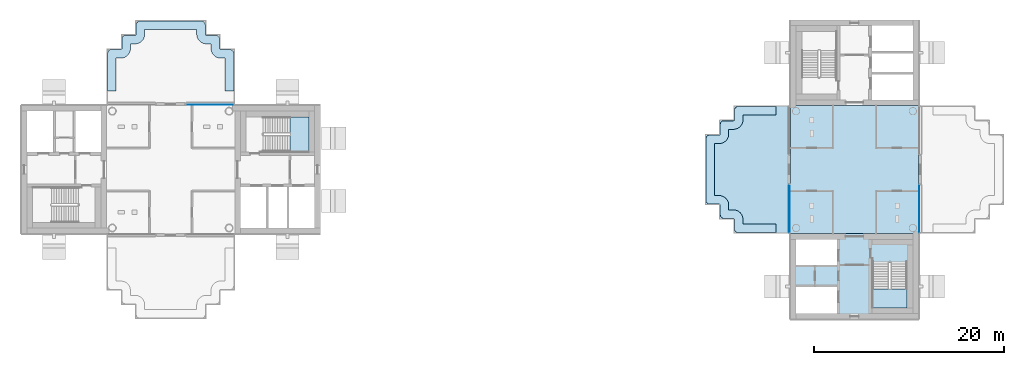
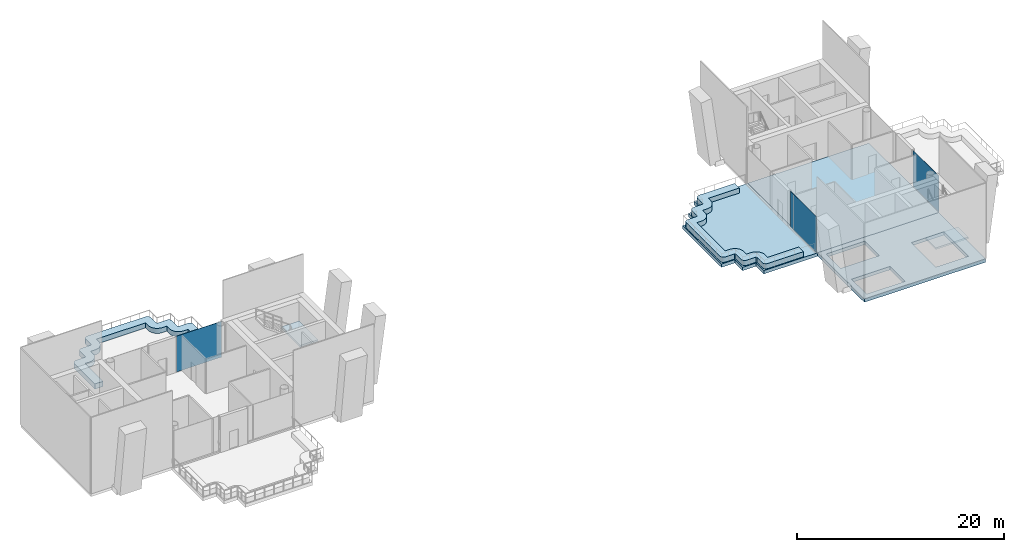
# One storey, part 5 of 17: 7 slabs, 3 plates, 5 elements without a shape of their own.
"""IFC4 building model written with IfcOpenShell, lengths in metres."""

from ifc_helpers import new_model, si_unit, direction, frame, origin, origin_2d, place, context, subcontext, project, spatial, polyline, rectangle, outline, extrude, material, layer, layer_set, type_object, element, aggregate, save


model = new_model("IFC4")

# Units and contexts
model_context = context("Model", 3, precision=1e-05, world=origin(), true_north=direction((0.0, 1.0)))
body_context = subcontext(model_context, "Body", "Model", "MODEL_VIEW")
ifc_project = project(units=[si_unit("LENGTHUNIT", "METRE"), si_unit("AREAUNIT", "SQUARE_METRE"), si_unit("VOLUMEUNIT", "CUBIC_METRE"), si_unit("PLANEANGLEUNIT", "RADIAN"), si_unit("MASSUNIT", "GRAM", prefix="KILO")], contexts=[model_context])

# Site, building, storey
site_placement = place(None, origin())
site = spatial("IfcSite", under=ifc_project, at=site_placement, CompositionType="ELEMENT")
building_placement = place(site_placement, origin())
building = spatial("IfcBuilding", under=site, at=building_placement, Name="Ipe Terrace Towers", CompositionType="ELEMENT")
storey_placement = place(building_placement, frame((0.0, 0.0, 246.89990234375)))
storey = spatial("IfcBuildingStorey", under=building, at=storey_placement, Name="L68", CompositionType="ELEMENT", Elevation=246.89990234375)

# Slab
ifc_material_1 = material(Name="Concrete C30/37", Category="concrete")
ifc_layer_1 = layer(ifc_material_1, 0.39990234375)
ifc_layer_set_1 = layer_set([ifc_layer_1], Name="CORE FLOOR SLAB 400 C30-37")
slab_type_1 = type_object("IfcSlabType", Name="CORE FLOOR SLAB 400 C30-37", PredefinedType="FLOOR", material=ifc_layer_set_1)
slab_1_placement = place(storey_placement, frame((0.0, 0.0, -0.39990234375)))
element("IfcSlab", 1, at=slab_1_placement, inside=storey, type_object=slab_type_1, Name="Core floor T2-C2", PredefinedType="FLOOR", context=body_context, shape_type="SweptSolid", body=[
    extrude(outline(polyline([(29.25, -15.75), (29.25, -6.75), (42.75, -6.75), (42.75, -15.75), (29.25, -15.75)]), holes=[polyline([(29.85009765625, -12.25), (29.85009765625, -15.14990234375), (34.14990234375, -15.14990234375), (34.14990234375, -12.25), (29.85009765625, -12.25)]), polyline([(41.550048828125, -9.800048828125), (37.89990234375, -9.800048828125), (37.89990234375, -14.550048828125), (41.550048828125, -14.550048828125), (41.550048828125, -9.800048828125)]), polyline([(34.14990234375, -7.35009765625), (29.85009765625, -7.35009765625), (29.85009765625, -10.14990234375), (34.14990234375, -10.14990234375), (34.14990234375, -7.35009765625)])]), origin(), (0.0, 0.0, 1.0), 0.39990234375),
])

# Stair, slab
ifc_material_2 = material(Name="Concrete C30/37", Category="concrete")
stair_type = type_object("IfcStairType", Name="Protected exit stair", PredefinedType="HALF_TURN_STAIR", material=ifc_material_2)
stair_1_placement = place(storey_placement, origin())
stair_1 = element("IfcStair", 2, at=stair_1_placement, inside=storey, type_object=stair_type, Name="L68 Exit stair T1-C1", PredefinedType="HALF_TURN_STAIR")
ifc_material_3 = material(Name="Concrete C30/37", Category="concrete")
ifc_layer_2 = layer(ifc_material_3, 0.199951171875)
ifc_layer_set_2 = layer_set([ifc_layer_2], Name="Exit stair landing 200")
slab_type_2 = type_object("IfcSlabType", Name="Exit stair landing 200", PredefinedType="LANDING", material=ifc_layer_set_2)
slab_2_placement = place(storey_placement, frame((0.0, 0.0, 2.050048828125)))
slab_2 = element("IfcSlab", 3, at=slab_2_placement, type_object=slab_type_2, Name="T1-ST1 landing 1", PredefinedType="LANDING", context=body_context, shape_type="SweptSolid", body=[
    extrude(outline(polyline([(-23.43994140625, 1.89990234375), (-21.449951171875, 1.89990234375), (-21.449951171875, 5.550048828125), (-23.43994140625, 5.550048828125), (-23.43994140625, 1.89990234375)])), origin(), (0.0, 0.0, 1.0), 0.199951171875),
])
aggregate(stair_1, [slab_2])

stair_2_placement = place(storey_placement, origin())
stair_2 = element("IfcStair", 4, at=stair_2_placement, inside=storey, type_object=stair_type, Name="L68 Exit stair T2-C2", PredefinedType="HALF_TURN_STAIR")
slab_3_placement = place(storey_placement, frame((0.0, 0.0, 2.050048828125)))
slab_3 = element("IfcSlab", 5, at=slab_3_placement, type_object=slab_type_2, Name="T2-ST2 landing 1", PredefinedType="LANDING", context=body_context, shape_type="SweptSolid", body=[
    extrude(outline(polyline([(37.89990234375, -12.56005859375), (37.89990234375, -14.550048828125), (41.550048828125, -14.550048828125), (41.550048828125, -12.56005859375), (37.89990234375, -12.56005859375)])), origin(), (0.0, 0.0, 1.0), 0.199951171875),
])
aggregate(stair_2, [slab_3])

# Slabs
ifc_material_4 = material(Name="Concrete C40/50", Category="concrete")
ifc_layer_3 = layer(ifc_material_4, 0.39990234375)
ifc_layer_set_3 = layer_set([ifc_layer_3], Name="FLAT PLATE SLAB 400 C40-50")
slab_type_3 = type_object("IfcSlabType", Name="FLAT PLATE SLAB 400 C40-50", PredefinedType="FLOOR", material=ifc_layer_set_3)
slab_4_placement = place(storey_placement, frame((0.0, 0.0, -0.39990234375)))
element("IfcSlab", 6, at=slab_4_placement, inside=storey, type_object=slab_type_3, Name="Slab T2-FS-Z41", PredefinedType="FLOOR", context=body_context, shape_type="SweptSolid", body=[
    extrude(outline(polyline([(29.25, 6.75), (42.75, 6.75), (42.75, -6.75), (29.25, -6.75), (29.25, 6.75)])), origin(), (0.0, 0.0, 1.0), 0.39990234375),
])
ifc_material_5 = material(Name="Concrete C40/50", Category="concrete")
ifc_layer_4 = layer(ifc_material_5, 0.39990234375)
ifc_layer_set_4 = layer_set([ifc_layer_4], Name="TERRACE DECK SLAB 400 C40-50")
slab_type_4 = type_object("IfcSlabType", Name="TERRACE DECK SLAB 400 C40-50", PredefinedType="FLOOR", material=ifc_layer_set_4)
slab_5_placement = place(storey_placement, frame((0.0, 0.0, -0.419921875)))
element("IfcSlab", 7, at=slab_5_placement, inside=storey, type_object=slab_type_4, Name="Slab T2-TD-L68-1", PredefinedType="FLOOR", context=body_context, shape_type="SweptSolid", body=[
    extrude(outline(polyline([(20.2548828125, 3.7451171875), (21.7548828125, 3.7451171875), (21.7548828125, 5.2451171875), (23.2548828125, 5.2451171875), (23.2548828125, 6.7451171875), (29.2451171875, 6.7451171875), (29.2451171875, -6.7451171875), (23.2548828125, -6.7451171875), (23.2548828125, -5.2451171875), (21.7548828125, -5.2451171875), (21.7548828125, -3.7451171875), (20.2548828125, -3.7451171875), (20.2548828125, 3.7451171875)])), origin(), (0.0, 0.0, 1.0), 0.39990234375),
])

# Curtain wall, plate
ifc_material_6 = material(Name="Aluminium alloy 6063-T6", Category="aluminium")
ifc_layer_5 = layer(ifc_material_6, 0.320068359375)
ifc_layer_set_5 = layer_set([ifc_layer_5], Name="TERRACE FRONT CURTAIN WALL")
curtain_wall_type = type_object("IfcCurtainWallType", Name="TERRACE FRONT CURTAIN WALL", PredefinedType="NOTDEFINED", material=ifc_layer_set_5)
curtain_wall_1_placement = place(storey_placement, origin())
curtain_wall_1 = element("IfcCurtainWall", 8, at=curtain_wall_1_placement, inside=storey, type_object=curtain_wall_type, Name="T1-CW-L68-02b curtain wall", PredefinedType="NOTDEFINED")
ifc_material_7 = material(Name="Glass, clear laminated", Category="glass")
ifc_layer_6 = layer(ifc_material_7, 0.028076171875)
ifc_layer_set_6 = layer_set([ifc_layer_6], Name="TERRACE FRONT GLASS PANEL 28")
plate_type = type_object("IfcPlateType", Name="TERRACE FRONT GLASS PANEL 28", PredefinedType="CURTAIN_PANEL", material=ifc_layer_set_6)
plate_1_placement = place(storey_placement, frame((-31.87548828125, 6.830078125, -0.02001953125), z_axis=(0.0, 0.0, 1.0), x_axis=(-1.0, 0.0, 0.0)))
plate_1 = element("IfcPlate", 9, at=plate_1_placement, type_object=plate_type, Name="T1-CW-L68-02b panel 1", PredefinedType="CURTAIN_PANEL", context=body_context, shape_type="SweptSolid", body=[
    extrude(rectangle(XDim=5.029052734375, YDim=0.028076171875, at=origin_2d()), origin(), (0.0, 0.0, 1.0), 4.219970703125),
])
aggregate(curtain_wall_1, [plate_1])

curtain_wall_2_placement = place(storey_placement, origin())
curtain_wall_2 = element("IfcCurtainWall", 10, at=curtain_wall_2_placement, inside=storey, type_object=curtain_wall_type, Name="T2-CW-L68-00b curtain wall", PredefinedType="NOTDEFINED")
plate_2_placement = place(storey_placement, frame((42.830078125, -4.12451171875, -0.02001953125), z_axis=(0.0, 0.0, 1.0), x_axis=(0.0, 1.0, 0.0)))
plate_2 = element("IfcPlate", 11, at=plate_2_placement, type_object=plate_type, Name="T2-CW-L68-00b panel 1", PredefinedType="CURTAIN_PANEL", context=body_context, shape_type="SweptSolid", body=[
    extrude(rectangle(XDim=5.029052734375, YDim=0.028076171875, at=origin_2d()), origin(), (0.0, 0.0, 1.0), 4.219970703125),
])
aggregate(curtain_wall_2, [plate_2])

curtain_wall_3_placement = place(storey_placement, origin())
curtain_wall_3 = element("IfcCurtainWall", 12, at=curtain_wall_3_placement, inside=storey, type_object=curtain_wall_type, Name="T2-CW-L68-02d curtain wall", PredefinedType="NOTDEFINED")
plate_3_placement = place(storey_placement, frame((29.169921875, -4.12451171875, -0.02001953125), z_axis=(0.0, 0.0, 1.0), x_axis=(0.0, -1.0, 0.0)))
plate_3 = element("IfcPlate", 13, at=plate_3_placement, type_object=plate_type, Name="T2-CW-L68-02d panel 1", PredefinedType="CURTAIN_PANEL", context=body_context, shape_type="SweptSolid", body=[
    extrude(rectangle(XDim=5.029052734375, YDim=0.028076171875, at=origin_2d()), origin(), (0.0, 0.0, 1.0), 4.219970703125),
])
aggregate(curtain_wall_3, [plate_3])

# Slabs
ifc_material_8 = material(Name="Concrete C30/37", Category="concrete")
ifc_layer_7 = layer(ifc_material_8, 0.60009765625)
ifc_layer_set_7 = layer_set([ifc_layer_7], Name="TERRACE PLANTING BED 900 x 600")
slab_type_5 = type_object("IfcSlabType", Name="TERRACE PLANTING BED 900 x 600", PredefinedType="USERDEFINED", material=ifc_layer_set_7)
slab_6_placement = place(storey_placement, frame((0.0, 0.0, -0.02001953125)))
element("IfcSlab", 14, at=slab_6_placement, inside=storey, type_object=slab_type_5, Name="planter", ObjectType="PLANTER", PredefinedType="USERDEFINED", context=body_context, shape_type="SweptSolid", body=[
    extrude(outline(polyline([(-41.739990234375, 11.72998046875), (-41.739990234375, 11.739990234375), (-41.72998046875, 11.739990234375), (-41.2490234375, 11.739990234375), (-41.22900390625, 11.739990234375), (-41.1708984375, 11.742919921875), (-41.132080078125, 11.7470703125), (-41.072021484375, 11.756103515625), (-41.033935546875, 11.763916015625), (-40.97607421875, 11.778076171875), (-40.93798828125, 11.7900390625), (-40.882080078125, 11.81005859375), (-40.845947265625, 11.824951171875), (-40.791015625, 11.85009765625), (-40.757080078125, 11.868896484375), (-40.705078125, 11.89990234375), (-40.673095703125, 11.9208984375), (-40.625, 11.95703125), (-40.593994140625, 11.98193359375), (-40.550048828125, 12.02197265625), (-40.52197265625, 12.050048828125), (-40.48193359375, 12.093994140625), (-40.45703125, 12.125), (-40.4208984375, 12.173095703125), (-40.39990234375, 12.205078125), (-40.368896484375, 12.257080078125), (-40.35009765625, 12.291015625), (-40.324951171875, 12.345947265625), (-40.31005859375, 12.382080078125), (-40.2900390625, 12.43798828125), (-40.278076171875, 12.47607421875), (-40.263916015625, 12.533935546875), (-40.256103515625, 12.572021484375), (-40.2470703125, 12.632080078125), (-40.242919921875, 12.6708984375), (-40.239990234375, 12.72900390625), (-40.239990234375, 12.7490234375), (-40.239990234375, 13.22998046875), (-40.239990234375, 13.239990234375), (-40.22998046875, 13.239990234375), (-39.7490234375, 13.239990234375), (-39.72900390625, 13.239990234375), (-39.6708984375, 13.242919921875), (-39.632080078125, 13.2470703125), (-39.572021484375, 13.256103515625), (-39.533935546875, 13.263916015625), (-39.47607421875, 13.278076171875), (-39.43798828125, 13.2900390625), (-39.382080078125, 13.31005859375), (-39.345947265625, 13.324951171875), (-39.291015625, 13.35009765625), (-39.257080078125, 13.368896484375), (-39.205078125, 13.39990234375), (-39.173095703125, 13.4208984375), (-39.125, 13.45703125), (-39.093994140625, 13.48193359375), (-39.050048828125, 13.52197265625), (-39.02197265625, 13.550048828125), (-38.98193359375, 13.593994140625), (-38.95703125, 13.625), (-38.9208984375, 13.673095703125), (-38.89990234375, 13.705078125), (-38.868896484375, 13.757080078125), (-38.85009765625, 13.791015625), (-38.824951171875, 13.845947265625), (-38.81005859375, 13.882080078125), (-38.7900390625, 13.93798828125), (-38.778076171875, 13.97607421875), (-38.763916015625, 14.033935546875), (-38.756103515625, 14.072021484375), (-38.7470703125, 14.132080078125), (-38.742919921875, 14.1708984375), (-38.739990234375, 14.22900390625), (-38.739990234375, 14.2490234375), (-38.739990234375, 14.72998046875), (-38.739990234375, 14.739990234375), (-38.72998046875, 14.739990234375), (-33.27001953125, 14.739990234375), (-33.260009765625, 14.739990234375), (-33.260009765625, 14.72998046875), (-33.260009765625, 14.2490234375), (-33.260009765625, 14.22900390625), (-33.257080078125, 14.1708984375), (-33.2529296875, 14.132080078125), (-33.243896484375, 14.072021484375), (-33.236083984375, 14.033935546875), (-33.221923828125, 13.97607421875), (-33.2099609375, 13.93798828125), (-33.18994140625, 13.882080078125), (-33.175048828125, 13.845947265625), (-33.14990234375, 13.791015625), (-33.131103515625, 13.757080078125), (-33.10009765625, 13.705078125), (-33.0791015625, 13.673095703125), (-33.04296875, 13.625), (-33.01806640625, 13.593994140625), (-32.97802734375, 13.550048828125), (-32.949951171875, 13.52197265625), (-32.906005859375, 13.48193359375), (-32.875, 13.45703125), (-32.826904296875, 13.4208984375), (-32.794921875, 13.39990234375), (-32.742919921875, 13.368896484375), (-32.708984375, 13.35009765625), (-32.654052734375, 13.324951171875), (-32.617919921875, 13.31005859375), (-32.56201171875, 13.2900390625), (-32.52392578125, 13.278076171875), (-32.466064453125, 13.263916015625), (-32.427978515625, 13.256103515625), (-32.367919921875, 13.2470703125), (-32.3291015625, 13.242919921875), (-32.27099609375, 13.239990234375), (-32.2509765625, 13.239990234375), (-31.77001953125, 13.239990234375), (-31.760009765625, 13.239990234375), (-31.760009765625, 13.22998046875), (-31.760009765625, 12.7490234375), (-31.760009765625, 12.72900390625), (-31.757080078125, 12.6708984375), (-31.7529296875, 12.632080078125), (-31.743896484375, 12.572021484375), (-31.736083984375, 12.533935546875), (-31.721923828125, 12.47607421875), (-31.7099609375, 12.43798828125), (-31.68994140625, 12.382080078125), (-31.675048828125, 12.345947265625), (-31.64990234375, 12.291015625), (-31.631103515625, 12.257080078125), (-31.60009765625, 12.205078125), (-31.5791015625, 12.173095703125), (-31.54296875, 12.125), (-31.51806640625, 12.093994140625), (-31.47802734375, 12.050048828125), (-31.449951171875, 12.02197265625), (-31.406005859375, 11.98193359375), (-31.375, 11.95703125), (-31.326904296875, 11.9208984375), (-31.294921875, 11.89990234375), (-31.242919921875, 11.868896484375), (-31.208984375, 11.85009765625), (-31.154052734375, 11.824951171875), (-31.117919921875, 11.81005859375), (-31.06201171875, 11.7900390625), (-31.02392578125, 11.778076171875), (-30.966064453125, 11.763916015625), (-30.927978515625, 11.756103515625), (-30.867919921875, 11.7470703125), (-30.8291015625, 11.742919921875), (-30.77099609375, 11.739990234375), (-30.7509765625, 11.739990234375), (-30.27001953125, 11.739990234375), (-30.260009765625, 11.739990234375), (-30.260009765625, 11.72998046875), (-30.260009765625, 8.27001953125), (-29.360107421875, 8.27001953125), (-29.360107421875, 12.239990234375), (-29.362060546875, 12.279052734375), (-29.367919921875, 12.318115234375), (-29.376953125, 12.35595703125), (-29.389892578125, 12.39306640625), (-29.406982421875, 12.428955078125), (-29.427001953125, 12.4619140625), (-29.450927734375, 12.493896484375), (-29.47705078125, 12.52294921875), (-29.506103515625, 12.549072265625), (-29.5380859375, 12.572998046875), (-29.571044921875, 12.593017578125), (-29.60693359375, 12.610107421875), (-29.64404296875, 12.623046875), (-29.681884765625, 12.632080078125), (-29.720947265625, 12.637939453125), (-29.760009765625, 12.639892578125), (-30.73388671875, 12.639892578125), (-30.743896484375, 12.639892578125), (-30.7509765625, 12.64111328125), (-30.76611328125, 12.64208984375), (-30.777099609375, 12.64404296875), (-30.787109375, 12.64697265625), (-30.797119140625, 12.65087890625), (-30.805908203125, 12.656005859375), (-30.81494140625, 12.662109375), (-30.822998046875, 12.6689453125), (-30.8310546875, 12.677001953125), (-30.837890625, 12.68505859375), (-30.843994140625, 12.694091796875), (-30.84912109375, 12.702880859375), (-30.85302734375, 12.712890625), (-30.85595703125, 12.722900390625), (-30.85791015625, 12.73388671875), (-30.85888671875, 12.7490234375), (-30.860107421875, 12.756103515625), (-30.860107421875, 12.76611328125), (-30.860107421875, 13.739990234375), (-30.862060546875, 13.779052734375), (-30.867919921875, 13.818115234375), (-30.876953125, 13.85595703125), (-30.889892578125, 13.89306640625), (-30.906982421875, 13.928955078125), (-30.927001953125, 13.9619140625), (-30.950927734375, 13.993896484375), (-30.97705078125, 14.02294921875), (-31.006103515625, 14.049072265625), (-31.0380859375, 14.072998046875), (-31.071044921875, 14.093017578125), (-31.10693359375, 14.110107421875), (-31.14404296875, 14.123046875), (-31.181884765625, 14.132080078125), (-31.220947265625, 14.137939453125), (-31.260009765625, 14.139892578125), (-32.23388671875, 14.139892578125), (-32.243896484375, 14.139892578125), (-32.2509765625, 14.14111328125), (-32.26611328125, 14.14208984375), (-32.277099609375, 14.14404296875), (-32.287109375, 14.14697265625), (-32.297119140625, 14.15087890625), (-32.305908203125, 14.156005859375), (-32.31494140625, 14.162109375), (-32.322998046875, 14.1689453125), (-32.3310546875, 14.177001953125), (-32.337890625, 14.18505859375), (-32.343994140625, 14.194091796875), (-32.34912109375, 14.202880859375), (-32.35302734375, 14.212890625), (-32.35595703125, 14.222900390625), (-32.35791015625, 14.23388671875), (-32.35888671875, 14.2490234375), (-32.360107421875, 14.256103515625), (-32.360107421875, 14.26611328125), (-32.360107421875, 15.239990234375), (-32.362060546875, 15.279052734375), (-32.367919921875, 15.318115234375), (-32.376953125, 15.35595703125), (-32.389892578125, 15.39306640625), (-32.406982421875, 15.428955078125), (-32.427001953125, 15.4619140625), (-32.450927734375, 15.493896484375), (-32.47705078125, 15.52294921875), (-32.506103515625, 15.549072265625), (-32.5380859375, 15.572998046875), (-32.571044921875, 15.593017578125), (-32.60693359375, 15.610107421875), (-32.64404296875, 15.623046875), (-32.681884765625, 15.632080078125), (-32.720947265625, 15.637939453125), (-32.760009765625, 15.639892578125), (-39.239990234375, 15.639892578125), (-39.279052734375, 15.637939453125), (-39.318115234375, 15.632080078125), (-39.35595703125, 15.623046875), (-39.39306640625, 15.610107421875), (-39.428955078125, 15.593017578125), (-39.4619140625, 15.572998046875), (-39.493896484375, 15.549072265625), (-39.52294921875, 15.52294921875), (-39.549072265625, 15.493896484375), (-39.572998046875, 15.4619140625), (-39.593017578125, 15.428955078125), (-39.610107421875, 15.39306640625), (-39.623046875, 15.35595703125), (-39.632080078125, 15.318115234375), (-39.637939453125, 15.279052734375), (-39.639892578125, 15.239990234375), (-39.639892578125, 14.26611328125), (-39.639892578125, 14.256103515625), (-39.64111328125, 14.2490234375), (-39.64208984375, 14.23388671875), (-39.64404296875, 14.222900390625), (-39.64697265625, 14.212890625), (-39.65087890625, 14.202880859375), (-39.656005859375, 14.194091796875), (-39.662109375, 14.18505859375), (-39.6689453125, 14.177001953125), (-39.677001953125, 14.1689453125), (-39.68505859375, 14.162109375), (-39.694091796875, 14.156005859375), (-39.702880859375, 14.15087890625), (-39.712890625, 14.14697265625), (-39.722900390625, 14.14404296875), (-39.73388671875, 14.14208984375), (-39.7490234375, 14.14111328125), (-39.756103515625, 14.139892578125), (-39.76611328125, 14.139892578125), (-40.739990234375, 14.139892578125), (-40.779052734375, 14.137939453125), (-40.818115234375, 14.132080078125), (-40.85595703125, 14.123046875), (-40.89306640625, 14.110107421875), (-40.928955078125, 14.093017578125), (-40.9619140625, 14.072998046875), (-40.993896484375, 14.049072265625), (-41.02294921875, 14.02294921875), (-41.049072265625, 13.993896484375), (-41.072998046875, 13.9619140625), (-41.093017578125, 13.928955078125), (-41.110107421875, 13.89306640625), (-41.123046875, 13.85595703125), (-41.132080078125, 13.818115234375), (-41.137939453125, 13.779052734375), (-41.139892578125, 13.739990234375), (-41.139892578125, 12.76611328125), (-41.139892578125, 12.756103515625), (-41.14111328125, 12.7490234375), (-41.14208984375, 12.73388671875), (-41.14404296875, 12.722900390625), (-41.14697265625, 12.712890625), (-41.15087890625, 12.702880859375), (-41.156005859375, 12.694091796875), (-41.162109375, 12.68505859375), (-41.1689453125, 12.677001953125), (-41.177001953125, 12.6689453125), (-41.18505859375, 12.662109375), (-41.194091796875, 12.656005859375), (-41.202880859375, 12.65087890625), (-41.212890625, 12.64697265625), (-41.222900390625, 12.64404296875), (-41.23388671875, 12.64208984375), (-41.2490234375, 12.64111328125), (-41.256103515625, 12.639892578125), (-41.26611328125, 12.639892578125), (-42.239990234375, 12.639892578125), (-42.279052734375, 12.637939453125), (-42.318115234375, 12.632080078125), (-42.35595703125, 12.623046875), (-42.39306640625, 12.610107421875), (-42.428955078125, 12.593017578125), (-42.4619140625, 12.572998046875), (-42.493896484375, 12.549072265625), (-42.52294921875, 12.52294921875), (-42.549072265625, 12.493896484375), (-42.572998046875, 12.4619140625), (-42.593017578125, 12.428955078125), (-42.610107421875, 12.39306640625), (-42.623046875, 12.35595703125), (-42.632080078125, 12.318115234375), (-42.637939453125, 12.279052734375), (-42.639892578125, 12.239990234375), (-42.639892578125, 8.27001953125), (-41.739990234375, 8.27001953125), (-41.739990234375, 11.72998046875)])), origin(), (0.0, 0.0, 1.0), 0.60009765625),
])
slab_7_placement = place(storey_placement, frame((0.0, 0.0, -0.02001953125)))
element("IfcSlab", 15, at=slab_7_placement, inside=storey, type_object=slab_type_5, Name="planter", ObjectType="PLANTER", PredefinedType="USERDEFINED", context=body_context, shape_type="SweptSolid", body=[
    extrude(outline(polyline([(21.27001953125, -2.739990234375), (21.260009765625, -2.739990234375), (21.260009765625, -2.72998046875), (21.260009765625, 2.72998046875), (21.260009765625, 2.739990234375), (21.27001953125, 2.739990234375), (21.7509765625, 2.739990234375), (21.77099609375, 2.739990234375), (21.8291015625, 2.742919921875), (21.867919921875, 2.7470703125), (21.927978515625, 2.756103515625), (21.966064453125, 2.763916015625), (22.02392578125, 2.778076171875), (22.06201171875, 2.7900390625), (22.117919921875, 2.81005859375), (22.154052734375, 2.824951171875), (22.208984375, 2.85009765625), (22.242919921875, 2.868896484375), (22.294921875, 2.89990234375), (22.326904296875, 2.9208984375), (22.375, 2.95703125), (22.406005859375, 2.98193359375), (22.449951171875, 3.02197265625), (22.47802734375, 3.050048828125), (22.51806640625, 3.093994140625), (22.54296875, 3.125), (22.5791015625, 3.173095703125), (22.60009765625, 3.205078125), (22.631103515625, 3.257080078125), (22.64990234375, 3.291015625), (22.675048828125, 3.345947265625), (22.68994140625, 3.382080078125), (22.7099609375, 3.43798828125), (22.721923828125, 3.47607421875), (22.736083984375, 3.533935546875), (22.743896484375, 3.572021484375), (22.7529296875, 3.632080078125), (22.757080078125, 3.6708984375), (22.760009765625, 3.72900390625), (22.760009765625, 3.7490234375), (22.760009765625, 4.22998046875), (22.760009765625, 4.239990234375), (22.77001953125, 4.239990234375), (23.2509765625, 4.239990234375), (23.27099609375, 4.239990234375), (23.3291015625, 4.242919921875), (23.367919921875, 4.2470703125), (23.427978515625, 4.256103515625), (23.466064453125, 4.263916015625), (23.52392578125, 4.278076171875), (23.56201171875, 4.2900390625), (23.617919921875, 4.31005859375), (23.654052734375, 4.324951171875), (23.708984375, 4.35009765625), (23.742919921875, 4.368896484375), (23.794921875, 4.39990234375), (23.826904296875, 4.4208984375), (23.875, 4.45703125), (23.906005859375, 4.48193359375), (23.949951171875, 4.52197265625), (23.97802734375, 4.550048828125), (24.01806640625, 4.593994140625), (24.04296875, 4.625), (24.0791015625, 4.673095703125), (24.10009765625, 4.705078125), (24.131103515625, 4.757080078125), (24.14990234375, 4.791015625), (24.175048828125, 4.845947265625), (24.18994140625, 4.882080078125), (24.2099609375, 4.93798828125), (24.221923828125, 4.97607421875), (24.236083984375, 5.033935546875), (24.243896484375, 5.072021484375), (24.2529296875, 5.132080078125), (24.257080078125, 5.1708984375), (24.260009765625, 5.22900390625), (24.260009765625, 5.2490234375), (24.260009765625, 5.72998046875), (24.260009765625, 5.739990234375), (24.27001953125, 5.739990234375), (27.72998046875, 5.739990234375), (27.72998046875, 6.639892578125), (23.760009765625, 6.639892578125), (23.720947265625, 6.637939453125), (23.681884765625, 6.632080078125), (23.64404296875, 6.623046875), (23.60693359375, 6.610107421875), (23.571044921875, 6.593017578125), (23.5380859375, 6.572998046875), (23.506103515625, 6.549072265625), (23.47705078125, 6.52294921875), (23.450927734375, 6.493896484375), (23.427001953125, 6.4619140625), (23.406982421875, 6.428955078125), (23.389892578125, 6.39306640625), (23.376953125, 6.35595703125), (23.367919921875, 6.318115234375), (23.362060546875, 6.279052734375), (23.360107421875, 6.239990234375), (23.360107421875, 5.26611328125), (23.360107421875, 5.256103515625), (23.35888671875, 5.2490234375), (23.35791015625, 5.23388671875), (23.35595703125, 5.222900390625), (23.35302734375, 5.212890625), (23.34912109375, 5.202880859375), (23.343994140625, 5.194091796875), (23.337890625, 5.18505859375), (23.3310546875, 5.177001953125), (23.322998046875, 5.1689453125), (23.31494140625, 5.162109375), (23.305908203125, 5.156005859375), (23.297119140625, 5.15087890625), (23.287109375, 5.14697265625), (23.277099609375, 5.14404296875), (23.26611328125, 5.14208984375), (23.2509765625, 5.14111328125), (23.243896484375, 5.139892578125), (23.23388671875, 5.139892578125), (22.260009765625, 5.139892578125), (22.220947265625, 5.137939453125), (22.181884765625, 5.132080078125), (22.14404296875, 5.123046875), (22.10693359375, 5.110107421875), (22.071044921875, 5.093017578125), (22.0380859375, 5.072998046875), (22.006103515625, 5.049072265625), (21.97705078125, 5.02294921875), (21.950927734375, 4.993896484375), (21.927001953125, 4.9619140625), (21.906982421875, 4.928955078125), (21.889892578125, 4.89306640625), (21.876953125, 4.85595703125), (21.867919921875, 4.818115234375), (21.862060546875, 4.779052734375), (21.860107421875, 4.739990234375), (21.860107421875, 3.76611328125), (21.860107421875, 3.756103515625), (21.85888671875, 3.7490234375), (21.85791015625, 3.73388671875), (21.85595703125, 3.722900390625), (21.85302734375, 3.712890625), (21.84912109375, 3.702880859375), (21.843994140625, 3.694091796875), (21.837890625, 3.68505859375), (21.8310546875, 3.677001953125), (21.822998046875, 3.6689453125), (21.81494140625, 3.662109375), (21.805908203125, 3.656005859375), (21.797119140625, 3.65087890625), (21.787109375, 3.64697265625), (21.777099609375, 3.64404296875), (21.76611328125, 3.64208984375), (21.7509765625, 3.64111328125), (21.743896484375, 3.639892578125), (21.73388671875, 3.639892578125), (20.760009765625, 3.639892578125), (20.720947265625, 3.637939453125), (20.681884765625, 3.632080078125), (20.64404296875, 3.623046875), (20.60693359375, 3.610107421875), (20.571044921875, 3.593017578125), (20.5380859375, 3.572998046875), (20.506103515625, 3.549072265625), (20.47705078125, 3.52294921875), (20.450927734375, 3.493896484375), (20.427001953125, 3.4619140625), (20.406982421875, 3.428955078125), (20.389892578125, 3.39306640625), (20.376953125, 3.35595703125), (20.367919921875, 3.318115234375), (20.362060546875, 3.279052734375), (20.360107421875, 3.239990234375), (20.360107421875, -3.239990234375), (20.362060546875, -3.279052734375), (20.367919921875, -3.318115234375), (20.376953125, -3.35595703125), (20.389892578125, -3.39306640625), (20.406982421875, -3.428955078125), (20.427001953125, -3.4619140625), (20.450927734375, -3.493896484375), (20.47705078125, -3.52294921875), (20.506103515625, -3.549072265625), (20.5380859375, -3.572998046875), (20.571044921875, -3.593017578125), (20.60693359375, -3.610107421875), (20.64404296875, -3.623046875), (20.681884765625, -3.632080078125), (20.720947265625, -3.637939453125), (20.760009765625, -3.639892578125), (21.73388671875, -3.639892578125), (21.743896484375, -3.639892578125), (21.7509765625, -3.64111328125), (21.76611328125, -3.64208984375), (21.777099609375, -3.64404296875), (21.787109375, -3.64697265625), (21.797119140625, -3.65087890625), (21.805908203125, -3.656005859375), (21.81494140625, -3.662109375), (21.822998046875, -3.6689453125), (21.8310546875, -3.677001953125), (21.837890625, -3.68505859375), (21.843994140625, -3.694091796875), (21.84912109375, -3.702880859375), (21.85302734375, -3.712890625), (21.85595703125, -3.722900390625), (21.85791015625, -3.73388671875), (21.85888671875, -3.7490234375), (21.860107421875, -3.756103515625), (21.860107421875, -3.76611328125), (21.860107421875, -4.739990234375), (21.862060546875, -4.779052734375), (21.867919921875, -4.818115234375), (21.876953125, -4.85595703125), (21.889892578125, -4.89306640625), (21.906982421875, -4.928955078125), (21.927001953125, -4.9619140625), (21.950927734375, -4.993896484375), (21.97705078125, -5.02294921875), (22.006103515625, -5.049072265625), (22.0380859375, -5.072998046875), (22.071044921875, -5.093017578125), (22.10693359375, -5.110107421875), (22.14404296875, -5.123046875), (22.181884765625, -5.132080078125), (22.220947265625, -5.137939453125), (22.260009765625, -5.139892578125), (23.23388671875, -5.139892578125), (23.243896484375, -5.139892578125), (23.2509765625, -5.14111328125), (23.26611328125, -5.14208984375), (23.277099609375, -5.14404296875), (23.287109375, -5.14697265625), (23.297119140625, -5.15087890625), (23.305908203125, -5.156005859375), (23.31494140625, -5.162109375), (23.322998046875, -5.1689453125), (23.3310546875, -5.177001953125), (23.337890625, -5.18505859375), (23.343994140625, -5.194091796875), (23.34912109375, -5.202880859375), (23.35302734375, -5.212890625), (23.35595703125, -5.222900390625), (23.35791015625, -5.23388671875), (23.35888671875, -5.2490234375), (23.360107421875, -5.256103515625), (23.360107421875, -5.26611328125), (23.360107421875, -6.239990234375), (23.362060546875, -6.279052734375), (23.367919921875, -6.318115234375), (23.376953125, -6.35595703125), (23.389892578125, -6.39306640625), (23.406982421875, -6.428955078125), (23.427001953125, -6.4619140625), (23.450927734375, -6.493896484375), (23.47705078125, -6.52294921875), (23.506103515625, -6.549072265625), (23.5380859375, -6.572998046875), (23.571044921875, -6.593017578125), (23.60693359375, -6.610107421875), (23.64404296875, -6.623046875), (23.681884765625, -6.632080078125), (23.720947265625, -6.637939453125), (23.760009765625, -6.639892578125), (27.72998046875, -6.639892578125), (27.72998046875, -5.739990234375), (24.27001953125, -5.739990234375), (24.260009765625, -5.739990234375), (24.260009765625, -5.72998046875), (24.260009765625, -5.2490234375), (24.260009765625, -5.22900390625), (24.257080078125, -5.1708984375), (24.2529296875, -5.132080078125), (24.243896484375, -5.072021484375), (24.236083984375, -5.033935546875), (24.221923828125, -4.97607421875), (24.2099609375, -4.93798828125), (24.18994140625, -4.882080078125), (24.175048828125, -4.845947265625), (24.14990234375, -4.791015625), (24.131103515625, -4.757080078125), (24.10009765625, -4.705078125), (24.0791015625, -4.673095703125), (24.04296875, -4.625), (24.01806640625, -4.593994140625), (23.97802734375, -4.550048828125), (23.949951171875, -4.52197265625), (23.906005859375, -4.48193359375), (23.875, -4.45703125), (23.826904296875, -4.4208984375), (23.794921875, -4.39990234375), (23.742919921875, -4.368896484375), (23.708984375, -4.35009765625), (23.654052734375, -4.324951171875), (23.617919921875, -4.31005859375), (23.56201171875, -4.2900390625), (23.52392578125, -4.278076171875), (23.466064453125, -4.263916015625), (23.427978515625, -4.256103515625), (23.367919921875, -4.2470703125), (23.3291015625, -4.242919921875), (23.27099609375, -4.239990234375), (23.2509765625, -4.239990234375), (22.77001953125, -4.239990234375), (22.760009765625, -4.239990234375), (22.760009765625, -4.22998046875), (22.760009765625, -3.7490234375), (22.760009765625, -3.72900390625), (22.757080078125, -3.6708984375), (22.7529296875, -3.632080078125), (22.743896484375, -3.572021484375), (22.736083984375, -3.533935546875), (22.721923828125, -3.47607421875), (22.7099609375, -3.43798828125), (22.68994140625, -3.382080078125), (22.675048828125, -3.345947265625), (22.64990234375, -3.291015625), (22.631103515625, -3.257080078125), (22.60009765625, -3.205078125), (22.5791015625, -3.173095703125), (22.54296875, -3.125), (22.51806640625, -3.093994140625), (22.47802734375, -3.050048828125), (22.449951171875, -3.02197265625), (22.406005859375, -2.98193359375), (22.375, -2.95703125), (22.326904296875, -2.9208984375), (22.294921875, -2.89990234375), (22.242919921875, -2.868896484375), (22.208984375, -2.85009765625), (22.154052734375, -2.824951171875), (22.117919921875, -2.81005859375), (22.06201171875, -2.7900390625), (22.02392578125, -2.778076171875), (21.966064453125, -2.763916015625), (21.927978515625, -2.756103515625), (21.867919921875, -2.7470703125), (21.8291015625, -2.742919921875), (21.77099609375, -2.739990234375), (21.7509765625, -2.739990234375), (21.27001953125, -2.739990234375)])), origin(), (0.0, 0.0, 1.0), 0.60009765625),
])

save(model, "model.ifc")
